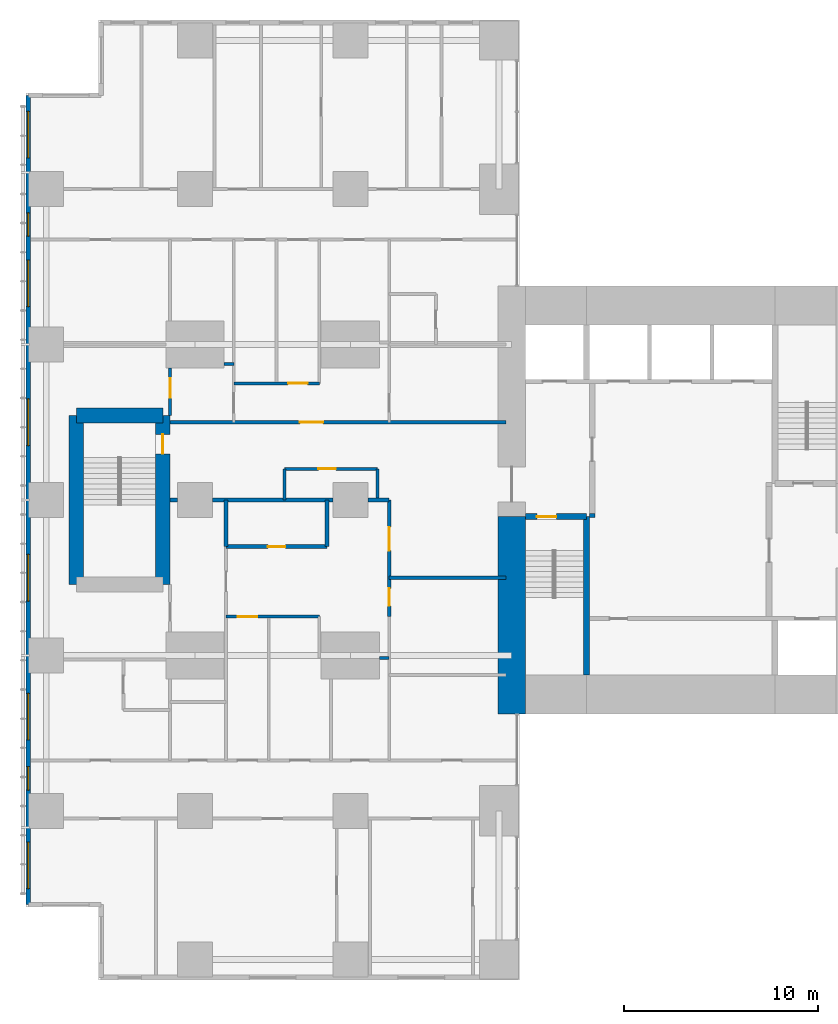
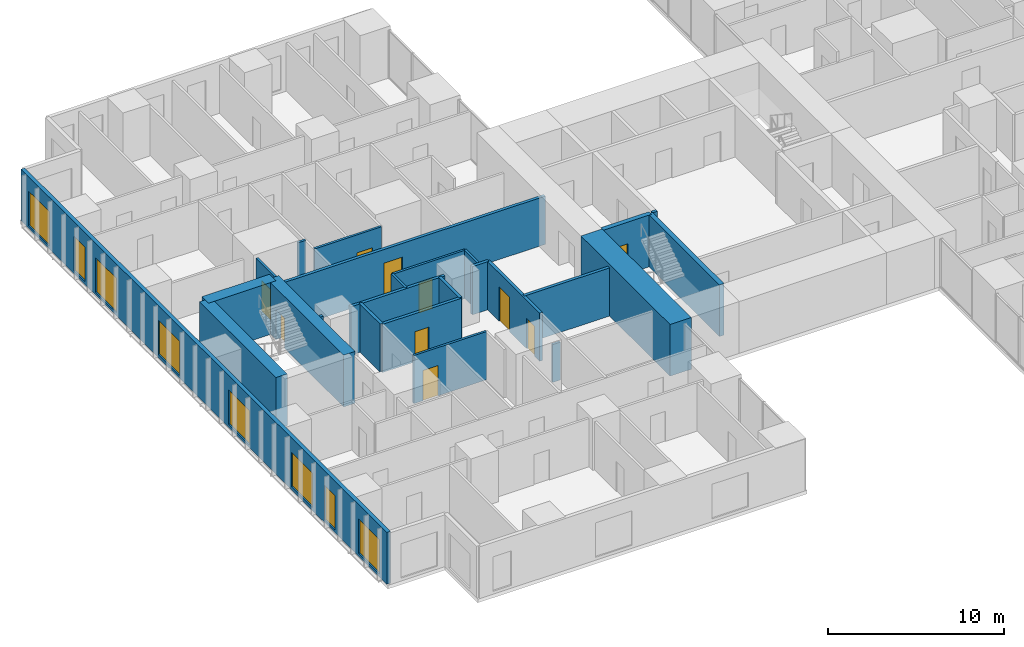
# One storey, part 13 of 20: 25 walls, 10 doors, 8 windows, 18 openings.
"""IFC4 building model written with IfcOpenShell, lengths in metres."""

from ifc_helpers import new_model, si_unit, direction, frame, frame_2d, origin, place, context, subcontext, project, spatial, rectangle, extrude, material, layer, layer_set, type_object, element, fill, save


model = new_model("IFC4")

# Units and contexts
model_context = context("Model", 3, precision=1e-05, world=origin(), true_north=direction((0.0, 1.0)))
body_context = subcontext(model_context, "Body", "Model", "MODEL_VIEW")
ifc_project = project(units=[si_unit("LENGTHUNIT", "METRE"), si_unit("AREAUNIT", "SQUARE_METRE"), si_unit("VOLUMEUNIT", "CUBIC_METRE"), si_unit("PLANEANGLEUNIT", "RADIAN"), si_unit("MASSUNIT", "GRAM", prefix="KILO")], contexts=[model_context])

# Site, building, storey
site_placement = place(None, origin())
site = spatial("IfcSite", under=ifc_project, at=site_placement, CompositionType="ELEMENT")
building_placement = place(site_placement, origin())
building = spatial("IfcBuilding", under=site, at=building_placement, Name="Cleftline Residences", CompositionType="ELEMENT")
storey_placement = place(building_placement, frame((0.0, 0.0, 189.39990234375)))
storey = spatial("IfcBuildingStorey", under=building, at=storey_placement, Name="L49", CompositionType="ELEMENT", Elevation=189.39990234375)

# Walls
ifc_material_1 = material(Name="Concrete B70", Category="concrete")
ifc_layer_1 = layer(ifc_material_1, 1.39990234375)
ifc_layer_set_1 = layer_set([ifc_layer_1], Name="CORE WALL 1400")
wall_type_1 = type_object("IfcWallType", Name="CORE WALL 1400", PredefinedType="SHEAR", material=ifc_layer_set_1)
wall_1_placement = place(storey_placement, frame((24.300048828125, 13.0, 0.0), z_axis=(0.0, 0.0, 1.0), x_axis=(0.0, 1.0, 0.0)))
element("IfcWall", 1, at=wall_1_placement, inside=storey, type_object=wall_type_1, Name="Core wall W0", PredefinedType="SHEAR", context=body_context, shape_type="SweptSolid", body=[
    extrude(rectangle(XDim=10.14990234375, YDim=1.39990234375, at=frame_2d((5.074951171875, 0.0))), origin(), (0.0, 0.0, 1.0), 3.60009765625),
])
ifc_material_2 = material(Name="Concrete B70", Category="concrete")
ifc_layer_2 = layer(ifc_material_2, 0.300048828125)
ifc_layer_set_2 = layer_set([ifc_layer_2], Name="CORE WALL 300")
wall_type_2 = type_object("IfcWallType", Name="CORE WALL 300", PredefinedType="SHEAR", material=ifc_layer_set_2)
wall_2_placement = place(storey_placement, frame((28.14990234375, 15.0, 0.0), z_axis=(0.0, 0.0, 1.0), x_axis=(0.0, 1.0, 0.0)))
element("IfcWall", 2, at=wall_2_placement, inside=storey, type_object=wall_type_2, Name="Core wall SA-E", PredefinedType="SHEAR", context=body_context, shape_type="SweptSolid", body=[
    extrude(rectangle(XDim=8.14990234375, YDim=0.300048828125, at=frame_2d((4.074951171875, 0.0))), origin(), (0.0, 0.0, 1.0), 3.60009765625),
])

# Wall, opening, door
wall_3_placement = place(storey_placement, frame((25.0, 23.14990234375, 0.0), z_axis=(0.0, 0.0, 1.0), x_axis=(1.0, 0.0, 0.0)))
wall_3 = element("IfcWall", 3, at=wall_3_placement, inside=storey, type_object=wall_type_2, Name="Core wall SA-N", PredefinedType="SHEAR", context=body_context, shape_type="SweptSolid", body=[
    extrude(rectangle(XDim=3.14990234375, YDim=0.300048828125, at=frame_2d((1.574951171875, 0.0))), origin(), (0.0, 0.0, 1.0), 3.60009765625),
])
opening_1_placement = place(wall_3_placement, frame((0.60009765625, 0.0, 0.0)))
opening_1 = element("IfcOpeningElement", 4, at=opening_1_placement, cuts=wall_3, Name="Opening D5", PredefinedType="OPENING", context=body_context, shape_type="SweptSolid", body=[
    extrude(rectangle(XDim=1.0, YDim=2.10009765625, at=frame_2d((0.5, 1.050048828125))), frame((0.0, 0.159912109375, 0.0), z_axis=(0.0, -1.0, 0.0), x_axis=(1.0, 0.0, 0.0)), (0.0, 0.0, 1.0), 0.320068359375),
])
ifc_material_3 = material(Name="Steel", Category="steel")
door_type_1 = type_object("IfcDoorType", Name="STAIR DOOR 1000X2100", OperationType="SINGLE_SWING_LEFT", PredefinedType="DOOR", material=ifc_material_3)
door_1_placement = place(opening_1_placement, origin())
door_1 = element("IfcDoor", 5, at=door_1_placement, inside=storey, type_object=door_type_1, Name="Stair A door", OperationType="SINGLE_SWING_RIGHT", OverallHeight=2.10009765625, OverallWidth=1.0, PredefinedType="DOOR", context=body_context, shape_type="SweptSolid", body=[
    extrude(rectangle(XDim=1.0, YDim=2.10009765625, at=frame_2d((0.5, 1.050048828125))), frame((0.0, 0.02490234375, 0.0), z_axis=(0.0, -1.0, 0.0), x_axis=(1.0, 0.0, 0.0)), (0.0, 0.0, 1.0), 0.050048828125),
])
fill(opening_1, door_1)

# Wall, openings, windows
ifc_material_4 = material(Name="Rendered reinforced concrete blockwork", Category="masonry")
ifc_layer_3 = layer(ifc_material_4, 0.25)
ifc_layer_set_3 = layer_set([ifc_layer_3], Name="EXTERNAL WALL 250")
wall_type_3 = type_object("IfcWallType", Name="EXTERNAL WALL 250", PredefinedType="SOLIDWALL", material=ifc_layer_set_3)
wall_4_placement = place(storey_placement, frame((-0.574951171875, 44.824951171875, 0.0), z_axis=(0.0, 0.0, 1.0), x_axis=(0.0, -1.0, 0.0)))
wall_4 = element("IfcWall", 6, at=wall_4_placement, inside=storey, type_object=wall_type_3, Name="External wall", PredefinedType="SOLIDWALL", context=body_context, shape_type="SweptSolid", body=[
    extrude(rectangle(XDim=41.64990234375, YDim=0.25, at=frame_2d((20.824951171875, 0.0))), origin(), (0.0, 0.0, 1.0), 3.60009765625),
])
opening_2_placement = place(wall_4_placement, frame((0.824951171875, 0.0, 0.199951171875)))
opening_2 = element("IfcOpeningElement", 7, at=opening_2_placement, cuts=wall_4, Name="Opening W9", PredefinedType="OPENING", context=body_context, shape_type="SweptSolid", body=[
    extrude(rectangle(XDim=2.39990234375, YDim=2.39990234375, at=frame_2d((1.199951171875, 1.199951171875))), frame((0.0, 0.135009765625, 0.0), z_axis=(0.0, -1.0, 0.0), x_axis=(1.0, 0.0, 0.0)), (0.0, 0.0, 1.0), 0.27001953125),
])
opening_3_placement = place(wall_4_placement, frame((6.050048828125, 0.0, 0.199951171875)))
opening_3 = element("IfcOpeningElement", 8, at=opening_3_placement, cuts=wall_4, Name="Opening W13", PredefinedType="OPENING", context=body_context, shape_type="SweptSolid", body=[
    extrude(rectangle(XDim=1.199951171875, YDim=2.39990234375, at=frame_2d((0.60009765625, 1.199951171875))), frame((0.0, 0.135009765625, 0.0), z_axis=(0.0, -1.0, 0.0), x_axis=(1.0, 0.0, 0.0)), (0.0, 0.0, 1.0), 0.27001953125),
])
opening_4_placement = place(wall_4_placement, frame((8.47509765625, 0.0, 0.199951171875)))
opening_4 = element("IfcOpeningElement", 9, at=opening_4_placement, cuts=wall_4, Name="Opening W9", PredefinedType="OPENING", context=body_context, shape_type="SweptSolid", body=[
    extrude(rectangle(XDim=2.39990234375, YDim=2.39990234375, at=frame_2d((1.199951171875, 1.199951171875))), frame((0.0, 0.135009765625, 0.0), z_axis=(0.0, -1.0, 0.0), x_axis=(1.0, 0.0, 0.0)), (0.0, 0.0, 1.0), 0.27001953125),
])
opening_5_placement = place(wall_4_placement, frame((15.625, 0.0, 0.199951171875)))
opening_5 = element("IfcOpeningElement", 10, at=opening_5_placement, cuts=wall_4, Name="Opening W9", PredefinedType="OPENING", context=body_context, shape_type="SweptSolid", body=[
    extrude(rectangle(XDim=2.39990234375, YDim=2.39990234375, at=frame_2d((1.199951171875, 1.199951171875))), frame((0.0, 0.135009765625, 0.0), z_axis=(0.0, -1.0, 0.0), x_axis=(1.0, 0.0, 0.0)), (0.0, 0.0, 1.0), 0.27001953125),
])
opening_6_placement = place(wall_4_placement, frame((23.625, 0.0, 0.199951171875)))
opening_6 = element("IfcOpeningElement", 11, at=opening_6_placement, cuts=wall_4, Name="Opening W9", PredefinedType="OPENING", context=body_context, shape_type="SweptSolid", body=[
    extrude(rectangle(XDim=2.39990234375, YDim=2.39990234375, at=frame_2d((1.199951171875, 1.199951171875))), frame((0.0, 0.135009765625, 0.0), z_axis=(0.0, -1.0, 0.0), x_axis=(1.0, 0.0, 0.0)), (0.0, 0.0, 1.0), 0.27001953125),
])
opening_7_placement = place(wall_4_placement, frame((30.77490234375, 0.0, 0.199951171875)))
opening_7 = element("IfcOpeningElement", 12, at=opening_7_placement, cuts=wall_4, Name="Opening W9", PredefinedType="OPENING", context=body_context, shape_type="SweptSolid", body=[
    extrude(rectangle(XDim=2.39990234375, YDim=2.39990234375, at=frame_2d((1.199951171875, 1.199951171875))), frame((0.0, 0.135009765625, 0.0), z_axis=(0.0, -1.0, 0.0), x_axis=(1.0, 0.0, 0.0)), (0.0, 0.0, 1.0), 0.27001953125),
])
opening_8_placement = place(wall_4_placement, frame((34.550048828125, 0.0, 0.199951171875)))
opening_8 = element("IfcOpeningElement", 13, at=opening_8_placement, cuts=wall_4, Name="Opening W13", PredefinedType="OPENING", context=body_context, shape_type="SweptSolid", body=[
    extrude(rectangle(XDim=1.199951171875, YDim=2.39990234375, at=frame_2d((0.60009765625, 1.199951171875))), frame((0.0, 0.135009765625, 0.0), z_axis=(0.0, -1.0, 0.0), x_axis=(1.0, 0.0, 0.0)), (0.0, 0.0, 1.0), 0.27001953125),
])
opening_9_placement = place(wall_4_placement, frame((38.425048828125, 0.0, 0.199951171875)))
opening_9 = element("IfcOpeningElement", 14, at=opening_9_placement, cuts=wall_4, Name="Opening W9", PredefinedType="OPENING", context=body_context, shape_type="SweptSolid", body=[
    extrude(rectangle(XDim=2.39990234375, YDim=2.39990234375, at=frame_2d((1.199951171875, 1.199951171875))), frame((0.0, 0.135009765625, 0.0), z_axis=(0.0, -1.0, 0.0), x_axis=(1.0, 0.0, 0.0)), (0.0, 0.0, 1.0), 0.27001953125),
])
ifc_material_5 = material(Name="Aluminium frame, clear double glazing", Category="aluminium")
window_type_1 = type_object("IfcWindowType", Name="WINDOW 1200X2400", PartitioningType="DOUBLE_PANEL_VERTICAL", PredefinedType="WINDOW", material=ifc_material_5)
window_1_placement = place(opening_3_placement, origin())
window_1 = element("IfcWindow", 15, at=window_1_placement, inside=storey, type_object=window_type_1, Name="Window", OverallHeight=2.39990234375, OverallWidth=1.199951171875, PartitioningType="SINGLE_PANEL", PredefinedType="WINDOW", context=body_context, shape_type="SweptSolid", body=[
    extrude(rectangle(XDim=1.199951171875, YDim=2.39990234375, at=frame_2d((0.60009765625, 1.199951171875))), frame((0.0, 0.030029296875, 0.0), z_axis=(0.0, -1.0, 0.0), x_axis=(1.0, 0.0, 0.0)), (0.0, 0.0, 1.0), 0.06005859375),
])
fill(opening_3, window_1)
window_2_placement = place(opening_8_placement, origin())
window_2 = element("IfcWindow", 16, at=window_2_placement, inside=storey, type_object=window_type_1, Name="Window", OverallHeight=2.39990234375, OverallWidth=1.199951171875, PartitioningType="SINGLE_PANEL", PredefinedType="WINDOW", context=body_context, shape_type="SweptSolid", body=[
    extrude(rectangle(XDim=1.199951171875, YDim=2.39990234375, at=frame_2d((0.60009765625, 1.199951171875))), frame((0.0, 0.030029296875, 0.0), z_axis=(0.0, -1.0, 0.0), x_axis=(1.0, 0.0, 0.0)), (0.0, 0.0, 1.0), 0.06005859375),
])
fill(opening_8, window_2)
ifc_material_6 = material(Name="Aluminium frame, clear double glazing", Category="aluminium")
window_type_2 = type_object("IfcWindowType", Name="WINDOW 2400X2400", PartitioningType="DOUBLE_PANEL_VERTICAL", PredefinedType="WINDOW", material=ifc_material_6)
window_3_placement = place(opening_2_placement, origin())
window_3 = element("IfcWindow", 17, at=window_3_placement, inside=storey, type_object=window_type_2, Name="Window", OverallHeight=2.39990234375, OverallWidth=2.39990234375, PartitioningType="SINGLE_PANEL", PredefinedType="WINDOW", context=body_context, shape_type="SweptSolid", body=[
    extrude(rectangle(XDim=2.39990234375, YDim=2.39990234375, at=frame_2d((1.199951171875, 1.199951171875))), frame((0.0, 0.030029296875, 0.0), z_axis=(0.0, -1.0, 0.0), x_axis=(1.0, 0.0, 0.0)), (0.0, 0.0, 1.0), 0.06005859375),
])
fill(opening_2, window_3)
window_4_placement = place(opening_4_placement, origin())
window_4 = element("IfcWindow", 18, at=window_4_placement, inside=storey, type_object=window_type_2, Name="Window", OverallHeight=2.39990234375, OverallWidth=2.39990234375, PartitioningType="SINGLE_PANEL", PredefinedType="WINDOW", context=body_context, shape_type="SweptSolid", body=[
    extrude(rectangle(XDim=2.39990234375, YDim=2.39990234375, at=frame_2d((1.199951171875, 1.199951171875))), frame((0.0, 0.030029296875, 0.0), z_axis=(0.0, -1.0, 0.0), x_axis=(1.0, 0.0, 0.0)), (0.0, 0.0, 1.0), 0.06005859375),
])
fill(opening_4, window_4)
window_5_placement = place(opening_5_placement, origin())
window_5 = element("IfcWindow", 19, at=window_5_placement, inside=storey, type_object=window_type_2, Name="Window", OverallHeight=2.39990234375, OverallWidth=2.39990234375, PartitioningType="SINGLE_PANEL", PredefinedType="WINDOW", context=body_context, shape_type="SweptSolid", body=[
    extrude(rectangle(XDim=2.39990234375, YDim=2.39990234375, at=frame_2d((1.199951171875, 1.199951171875))), frame((0.0, 0.030029296875, 0.0), z_axis=(0.0, -1.0, 0.0), x_axis=(1.0, 0.0, 0.0)), (0.0, 0.0, 1.0), 0.06005859375),
])
fill(opening_5, window_5)
window_6_placement = place(opening_6_placement, origin())
window_6 = element("IfcWindow", 20, at=window_6_placement, inside=storey, type_object=window_type_2, Name="Window", OverallHeight=2.39990234375, OverallWidth=2.39990234375, PartitioningType="SINGLE_PANEL", PredefinedType="WINDOW", context=body_context, shape_type="SweptSolid", body=[
    extrude(rectangle(XDim=2.39990234375, YDim=2.39990234375, at=frame_2d((1.199951171875, 1.199951171875))), frame((0.0, 0.030029296875, 0.0), z_axis=(0.0, -1.0, 0.0), x_axis=(1.0, 0.0, 0.0)), (0.0, 0.0, 1.0), 0.06005859375),
])
fill(opening_6, window_6)
window_7_placement = place(opening_7_placement, origin())
window_7 = element("IfcWindow", 21, at=window_7_placement, inside=storey, type_object=window_type_2, Name="Window", OverallHeight=2.39990234375, OverallWidth=2.39990234375, PartitioningType="SINGLE_PANEL", PredefinedType="WINDOW", context=body_context, shape_type="SweptSolid", body=[
    extrude(rectangle(XDim=2.39990234375, YDim=2.39990234375, at=frame_2d((1.199951171875, 1.199951171875))), frame((0.0, 0.030029296875, 0.0), z_axis=(0.0, -1.0, 0.0), x_axis=(1.0, 0.0, 0.0)), (0.0, 0.0, 1.0), 0.06005859375),
])
fill(opening_7, window_7)
window_8_placement = place(opening_9_placement, origin())
window_8 = element("IfcWindow", 22, at=window_8_placement, inside=storey, type_object=window_type_2, Name="Window", OverallHeight=2.39990234375, OverallWidth=2.39990234375, PartitioningType="SINGLE_PANEL", PredefinedType="WINDOW", context=body_context, shape_type="SweptSolid", body=[
    extrude(rectangle(XDim=2.39990234375, YDim=2.39990234375, at=frame_2d((1.199951171875, 1.199951171875))), frame((0.0, 0.030029296875, 0.0), z_axis=(0.0, -1.0, 0.0), x_axis=(1.0, 0.0, 0.0)), (0.0, 0.0, 1.0), 0.06005859375),
])
fill(opening_9, window_8)

# Wall
ifc_material_7 = material(Name="Concrete blockwork, fire rated", Category="masonry")
ifc_layer_4 = layer(ifc_material_7, 0.199951171875)
ifc_layer_set_4 = layer_set([ifc_layer_4], Name="FIRE WALL 200")
wall_type_4 = type_object("IfcWallType", Name="FIRE WALL 200", PredefinedType="PARTITIONING", material=ifc_layer_set_4)
wall_5_placement = place(storey_placement, frame((18.0, 20.0, 0.0), z_axis=(0.0, 0.0, 1.0), x_axis=(1.0, 0.0, 0.0)))
element("IfcWall", 23, at=wall_5_placement, inside=storey, type_object=wall_type_4, Name="Fire separating wall", PredefinedType="PARTITIONING", context=body_context, shape_type="SweptSolid", body=[
    extrude(rectangle(XDim=6.0, YDim=0.199951171875, at=frame_2d((3.0, 0.0))), origin(), (0.0, 0.0, 1.0), 3.35009765625),
])

# Wall, opening, door
wall_6_placement = place(storey_placement, frame((9.60009765625, 21.60009765625, 0.0), z_axis=(0.0, 0.0, 1.0), x_axis=(1.0, 0.0, 0.0)))
wall_6 = element("IfcWall", 24, at=wall_6_placement, inside=storey, type_object=wall_type_4, Name="Fire separating wall", PredefinedType="PARTITIONING", context=body_context, shape_type="SweptSolid", body=[
    extrude(rectangle(XDim=5.199951171875, YDim=0.199951171875, at=frame_2d((2.60009765625, 0.0))), origin(), (0.0, 0.0, 1.0), 3.35009765625),
])
opening_10_placement = place(wall_6_placement, frame((2.14990234375, 0.0, 0.0)))
opening_10 = element("IfcOpeningElement", 25, at=opening_10_placement, cuts=wall_6, Name="Opening D1F30", PredefinedType="OPENING", context=body_context, shape_type="SweptSolid", body=[
    extrude(rectangle(XDim=0.89990234375, YDim=2.10009765625, at=frame_2d((0.449951171875, 1.050048828125))), frame((0.0, 0.10986328125, 0.0), z_axis=(0.0, -1.0, 0.0), x_axis=(1.0, 0.0, 0.0)), (0.0, 0.0, 1.0), 0.219970703125),
])
ifc_material_8 = material(Name="Timber veneer on solid core", Category="wood")
door_type_2 = type_object("IfcDoorType", Name="DOOR 900X2100 EI 30", OperationType="SINGLE_SWING_LEFT", PredefinedType="DOOR", material=ifc_material_8)
door_2_placement = place(opening_10_placement, origin())
door_2 = element("IfcDoor", 26, at=door_2_placement, inside=storey, type_object=door_type_2, Name="Door to cloakroom wc", OperationType="SINGLE_SWING_LEFT", OverallHeight=2.10009765625, OverallWidth=0.89990234375, PredefinedType="DOOR", context=body_context, shape_type="SweptSolid", body=[
    extrude(rectangle(XDim=0.89990234375, YDim=2.10009765625, at=frame_2d((0.449951171875, 1.050048828125))), frame((0.0, 0.02490234375, 0.0), z_axis=(0.0, -1.0, 0.0), x_axis=(1.0, 0.0, 0.0)), (0.0, 0.0, 1.0), 0.050048828125),
])
fill(opening_10, door_2)

# Walls
wall_7_placement = place(storey_placement, frame((6.72509765625, 24.0, 0.0), z_axis=(0.0, 0.0, 1.0), x_axis=(1.0, 0.0, 0.0)))
element("IfcWall", 27, at=wall_7_placement, inside=storey, type_object=wall_type_4, Name="Fire separating wall", PredefinedType="PARTITIONING", context=body_context, shape_type="SweptSolid", body=[
    extrude(rectangle(XDim=0.375, YDim=0.199951171875, at=frame_2d((0.1875, 0.0))), origin(), (0.0, 0.0, 1.0), 3.35009765625),
])
wall_8_placement = place(storey_placement, frame((8.89990234375, 24.0, 0.0), z_axis=(0.0, 0.0, 1.0), x_axis=(1.0, 0.0, 0.0)))
element("IfcWall", 28, at=wall_8_placement, inside=storey, type_object=wall_type_4, Name="Fire separating wall", PredefinedType="PARTITIONING", context=body_context, shape_type="SweptSolid", body=[
    extrude(rectangle(XDim=6.2001953125, YDim=0.199951171875, at=frame_2d((3.10009765625, 0.0))), origin(), (0.0, 0.0, 1.0), 3.35009765625),
])
wall_9_placement = place(storey_placement, frame((16.89990234375, 24.0, 0.0), z_axis=(0.0, 0.0, 1.0), x_axis=(1.0, 0.0, 0.0)))
element("IfcWall", 29, at=wall_9_placement, inside=storey, type_object=wall_type_4, Name="Fire separating wall", PredefinedType="PARTITIONING", context=body_context, shape_type="SweptSolid", body=[
    extrude(rectangle(XDim=1.10009765625, YDim=0.199951171875, at=frame_2d((0.550048828125, 0.0))), origin(), (0.0, 0.0, 1.0), 3.35009765625),
])

# Wall, opening, door
wall_10_placement = place(storey_placement, frame((6.72509765625, 28.0, 0.0), z_axis=(0.0, 0.0, 1.0), x_axis=(1.0, 0.0, 0.0)))
wall_10 = element("IfcWall", 30, at=wall_10_placement, inside=storey, type_object=wall_type_4, Name="Fire separating wall", PredefinedType="PARTITIONING", context=body_context, shape_type="SweptSolid", body=[
    extrude(rectangle(XDim=17.27490234375, YDim=0.199951171875, at=frame_2d((8.637451171875, 0.0))), origin(), (0.0, 0.0, 1.0), 3.35009765625),
])
opening_11_placement = place(wall_10_placement, frame((6.675048828125, 0.0, 0.0)))
opening_11 = element("IfcOpeningElement", 31, at=opening_11_placement, cuts=wall_10, Name="Opening D4", PredefinedType="OPENING", context=body_context, shape_type="SweptSolid", body=[
    extrude(rectangle(XDim=1.199951171875, YDim=2.39990234375, at=frame_2d((0.60009765625, 1.199951171875))), frame((0.0, 0.10986328125, 0.0), z_axis=(0.0, -1.0, 0.0), x_axis=(1.0, 0.0, 0.0)), (0.0, 0.0, 1.0), 0.219970703125),
])
ifc_material_9 = material(Name="Timber veneer on solid core", Category="wood")
door_type_3 = type_object("IfcDoorType", Name="APARTMENT ENTRANCE DOOR 1200X2400", OperationType="SINGLE_SWING_RIGHT", PredefinedType="DOOR", material=ifc_material_9)
door_3_placement = place(opening_11_placement, origin())
door_3 = element("IfcDoor", 32, at=door_3_placement, inside=storey, type_object=door_type_3, Name="Door to residence entrance (gallery)", OperationType="SINGLE_SWING_RIGHT", OverallHeight=2.39990234375, OverallWidth=1.199951171875, PredefinedType="DOOR", context=body_context, shape_type="SweptSolid", body=[
    extrude(rectangle(XDim=1.199951171875, YDim=2.39990234375, at=frame_2d((0.60009765625, 1.199951171875))), frame((0.0, 0.02490234375, 0.0), z_axis=(0.0, -1.0, 0.0), x_axis=(1.0, 0.0, 0.0)), (0.0, 0.0, 1.0), 0.050048828125),
])
fill(opening_11, door_3)

# Walls
for number, where, z_axis, x_axis, name in (
    (33, (9.60009765625, 21.60009765625, 0.0), (0.0, 0.0, 1.0), (0.0, 1.0, 0.0), "Fire separating wall"),
    (34, (14.800048828125, 21.60009765625, 0.0), (0.0, 0.0, 1.0), (0.0, 1.0, 0.0), "Fire separating wall"),
):
    element("IfcWall", number, at=place(storey_placement, frame(where, z_axis=z_axis, x_axis=x_axis)), inside=storey, type_object=wall_type_4, Name=name, PredefinedType="PARTITIONING", context=body_context, shape_type="SweptSolid", body=[
        extrude(rectangle(XDim=2.39990234375, YDim=0.199951171875, at=frame_2d((1.199951171875, 0.0))), origin(), (0.0, 0.0, 1.0), 3.35009765625),
    ])

# Wall, openings, doors
wall_11_placement = place(storey_placement, frame((18.0, 18.0, 0.0), z_axis=(0.0, 0.0, 1.0), x_axis=(0.0, 1.0, 0.0)))
wall_11 = element("IfcWall", 35, at=wall_11_placement, inside=storey, type_object=wall_type_4, Name="Fire separating wall", PredefinedType="PARTITIONING", context=body_context, shape_type="SweptSolid", body=[
    extrude(rectangle(XDim=6.0, YDim=0.199951171875, at=frame_2d((3.0, 0.0))), origin(), (0.0, 0.0, 1.0), 3.35009765625),
])
opening_12_placement = place(wall_11_placement, frame((3.39990234375, 0.0, 0.0)))
opening_12 = element("IfcOpeningElement", 36, at=opening_12_placement, cuts=wall_11, Name="Opening D4", PredefinedType="OPENING", context=body_context, shape_type="SweptSolid", body=[
    extrude(rectangle(XDim=1.199951171875, YDim=2.39990234375, at=frame_2d((0.60009765625, 1.199951171875))), frame((0.0, 0.10986328125, 0.0), z_axis=(0.0, -1.0, 0.0), x_axis=(1.0, 0.0, 0.0)), (0.0, 0.0, 1.0), 0.219970703125),
])
opening_13_placement = place(wall_11_placement, frame((0.550048828125, 0.0, 0.0)))
opening_13 = element("IfcOpeningElement", 37, at=opening_13_placement, cuts=wall_11, Name="Opening D1F30", PredefinedType="OPENING", context=body_context, shape_type="SweptSolid", body=[
    extrude(rectangle(XDim=0.89990234375, YDim=2.10009765625, at=frame_2d((0.449951171875, 1.050048828125))), frame((0.0, 0.10986328125, 0.0), z_axis=(0.0, -1.0, 0.0), x_axis=(1.0, 0.0, 0.0)), (0.0, 0.0, 1.0), 0.219970703125),
])
door_4_placement = place(opening_12_placement, origin())
door_4 = element("IfcDoor", 38, at=door_4_placement, inside=storey, type_object=door_type_3, Name="Door to residence entrance foyer", OperationType="SINGLE_SWING_LEFT", OverallHeight=2.39990234375, OverallWidth=1.199951171875, PredefinedType="DOOR", context=body_context, shape_type="SweptSolid", body=[
    extrude(rectangle(XDim=1.199951171875, YDim=2.39990234375, at=frame_2d((0.60009765625, 1.199951171875))), frame((0.0, 0.02490234375, 0.0), z_axis=(0.0, -1.0, 0.0), x_axis=(1.0, 0.0, 0.0)), (0.0, 0.0, 1.0), 0.050048828125),
])
fill(opening_12, door_4)
door_5_placement = place(opening_13_placement, origin())
door_5 = element("IfcDoor", 39, at=door_5_placement, inside=storey, type_object=door_type_2, Name="Door to utility room", OperationType="SINGLE_SWING_RIGHT", OverallHeight=2.10009765625, OverallWidth=0.89990234375, PredefinedType="DOOR", context=body_context, shape_type="SweptSolid", body=[
    extrude(rectangle(XDim=0.89990234375, YDim=2.10009765625, at=frame_2d((0.449951171875, 1.050048828125))), frame((0.0, 0.02490234375, 0.0), z_axis=(0.0, -1.0, 0.0), x_axis=(1.0, 0.0, 0.0)), (0.0, 0.0, 1.0), 0.050048828125),
])
fill(opening_13, door_5)

# Walls
wall_12_placement = place(storey_placement, frame((28.300048828125, 23.199951171875, 0.0), z_axis=(0.0, 0.0, 1.0), x_axis=(1.0, 0.0, 0.0)))
element("IfcWall", 40, at=wall_12_placement, inside=storey, type_object=wall_type_4, Name="Fire separating wall", PredefinedType="PARTITIONING", context=body_context, shape_type="SweptSolid", body=[
    extrude(rectangle(XDim=0.300048828125, YDim=0.199951171875, at=frame_2d((0.14990234375, 0.0))), origin(), (0.0, 0.0, 1.0), 3.60009765625),
])
ifc_material_10 = material(Name="Gypsum board on steel studs", Category="steel")
ifc_layer_5 = layer(ifc_material_10, 0.14990234375)
ifc_layer_set_5 = layer_set([ifc_layer_5], Name="PARTITION 150")
wall_type_5 = type_object("IfcWallType", Name="PARTITION 150", PredefinedType="PARTITIONING", material=ifc_layer_set_5)
wall_13_placement = place(storey_placement, frame((17.5, 15.875, 0.0), z_axis=(0.0, 0.0, 1.0), x_axis=(1.0, 0.0, 0.0)))
element("IfcWall", 41, at=wall_13_placement, inside=storey, type_object=wall_type_5, Name="Partition", PredefinedType="PARTITIONING", context=body_context, shape_type="SweptSolid", body=[
    extrude(rectangle(XDim=0.5, YDim=0.14990234375, at=frame_2d((0.25, 0.0))), origin(), (0.0, 0.0, 1.0), 2.634033203125),
])

# Wall, opening, door
wall_14_placement = place(storey_placement, frame((9.60009765625, 18.0, 0.0), z_axis=(0.0, 0.0, 1.0), x_axis=(1.0, 0.0, 0.0)))
wall_14 = element("IfcWall", 42, at=wall_14_placement, inside=storey, type_object=wall_type_5, Name="Partition", PredefinedType="PARTITIONING", context=body_context, shape_type="SweptSolid", body=[
    extrude(rectangle(XDim=4.7998046875, YDim=0.14990234375, at=frame_2d((2.39990234375, 0.0))), origin(), (0.0, 0.0, 1.0), 3.35009765625),
])
opening_14_placement = place(wall_14_placement, frame((0.60009765625, 0.0, 0.0)))
opening_14 = element("IfcOpeningElement", 43, at=opening_14_placement, cuts=wall_14, Name="Opening D2", PredefinedType="OPENING", context=body_context, shape_type="SweptSolid", body=[
    extrude(rectangle(XDim=1.0, YDim=2.10009765625, at=frame_2d((0.5, 1.050048828125))), frame((0.0, 0.0849609375, 0.0), z_axis=(0.0, -1.0, 0.0), x_axis=(1.0, 0.0, 0.0)), (0.0, 0.0, 1.0), 0.169921875),
])
ifc_material_11 = material(Name="Timber veneer on solid core", Category="wood")
door_type_4 = type_object("IfcDoorType", Name="DOOR 1000X2100", OperationType="SINGLE_SWING_LEFT", PredefinedType="DOOR", material=ifc_material_11)
door_6_placement = place(opening_14_placement, origin())
door_6 = element("IfcDoor", 44, at=door_6_placement, inside=storey, type_object=door_type_4, Name="Door to residence passage", OperationType="SINGLE_SWING_RIGHT", OverallHeight=2.10009765625, OverallWidth=1.0, PredefinedType="DOOR", context=body_context, shape_type="SweptSolid", body=[
    extrude(rectangle(XDim=1.0, YDim=2.10009765625, at=frame_2d((0.5, 1.050048828125))), frame((0.0, 0.02490234375, 0.0), z_axis=(0.0, -1.0, 0.0), x_axis=(1.0, 0.0, 0.0)), (0.0, 0.0, 1.0), 0.050048828125),
])
fill(opening_14, door_6)

wall_15_placement = place(storey_placement, frame((12.60009765625, 25.60009765625, 0.0), z_axis=(0.0, 0.0, 1.0), x_axis=(1.0, 0.0, 0.0)))
wall_15 = element("IfcWall", 45, at=wall_15_placement, inside=storey, type_object=wall_type_5, Name="Partition", PredefinedType="PARTITIONING", context=body_context, shape_type="SweptSolid", body=[
    extrude(rectangle(XDim=4.7998046875, YDim=0.14990234375, at=frame_2d((2.39990234375, 0.0))), origin(), (0.0, 0.0, 1.0), 3.35009765625),
])
opening_15_placement = place(wall_15_placement, frame((1.75, 0.0, 0.0)))
opening_15 = element("IfcOpeningElement", 46, at=opening_15_placement, cuts=wall_15, Name="Opening D1", PredefinedType="OPENING", context=body_context, shape_type="SweptSolid", body=[
    extrude(rectangle(XDim=0.89990234375, YDim=2.10009765625, at=frame_2d((0.449951171875, 1.050048828125))), frame((0.0, 0.0849609375, 0.0), z_axis=(0.0, -1.0, 0.0), x_axis=(1.0, 0.0, 0.0)), (0.0, 0.0, 1.0), 0.169921875),
])
ifc_material_12 = material(Name="Timber veneer on solid core", Category="wood")
door_type_5 = type_object("IfcDoorType", Name="DOOR 900X2100", OperationType="SINGLE_SWING_LEFT", PredefinedType="DOOR", material=ifc_material_12)
door_7_placement = place(opening_15_placement, origin())
door_7 = element("IfcDoor", 47, at=door_7_placement, inside=storey, type_object=door_type_5, Name="Door to residents' storage room", OperationType="SINGLE_SWING_RIGHT", OverallHeight=2.10009765625, OverallWidth=0.89990234375, PredefinedType="DOOR", context=body_context, shape_type="SweptSolid", body=[
    extrude(rectangle(XDim=0.89990234375, YDim=2.10009765625, at=frame_2d((0.449951171875, 1.050048828125))), frame((0.0, 0.02490234375, 0.0), z_axis=(0.0, -1.0, 0.0), x_axis=(1.0, 0.0, 0.0)), (0.0, 0.0, 1.0), 0.050048828125),
])
fill(opening_15, door_7)

wall_16_placement = place(storey_placement, frame((10.0, 30.0, 0.0), z_axis=(0.0, 0.0, 1.0), x_axis=(1.0, 0.0, 0.0)))
wall_16 = element("IfcWall", 48, at=wall_16_placement, inside=storey, type_object=wall_type_5, Name="Partition", PredefinedType="PARTITIONING", context=body_context, shape_type="SweptSolid", body=[
    extrude(rectangle(XDim=4.39990234375, YDim=0.14990234375, at=frame_2d((2.199951171875, 0.0))), origin(), (0.0, 0.0, 1.0), 3.35009765625),
])
opening_16_placement = place(wall_16_placement, frame((2.800048828125, 0.0, 0.0)))
opening_16 = element("IfcOpeningElement", 49, at=opening_16_placement, cuts=wall_16, Name="Opening D2", PredefinedType="OPENING", context=body_context, shape_type="SweptSolid", body=[
    extrude(rectangle(XDim=1.0, YDim=2.10009765625, at=frame_2d((0.5, 1.050048828125))), frame((0.0, 0.0849609375, 0.0), z_axis=(0.0, -1.0, 0.0), x_axis=(1.0, 0.0, 0.0)), (0.0, 0.0, 1.0), 0.169921875),
])
door_8_placement = place(opening_16_placement, origin())
door_8 = element("IfcDoor", 50, at=door_8_placement, inside=storey, type_object=door_type_4, Name="Door to residence passage", OperationType="SINGLE_SWING_LEFT", OverallHeight=2.10009765625, OverallWidth=1.0, PredefinedType="DOOR", context=body_context, shape_type="SweptSolid", body=[
    extrude(rectangle(XDim=1.0, YDim=2.10009765625, at=frame_2d((0.5, 1.050048828125))), frame((0.0, 0.02490234375, 0.0), z_axis=(0.0, -1.0, 0.0), x_axis=(1.0, 0.0, 0.0)), (0.0, 0.0, 1.0), 0.050048828125),
])
fill(opening_16, door_8)

# Wall
wall_17_placement = place(storey_placement, frame((9.5, 31.0, 0.0), z_axis=(0.0, 0.0, 1.0), x_axis=(1.0, 0.0, 0.0)))
element("IfcWall", 51, at=wall_17_placement, inside=storey, type_object=wall_type_5, Name="Partition", PredefinedType="PARTITIONING", context=body_context, shape_type="SweptSolid", body=[
    extrude(rectangle(XDim=0.5, YDim=0.14990234375, at=frame_2d((0.25, 0.0))), origin(), (0.0, 0.0, 1.0), 3.35009765625),
])

# Wall, opening, door
wall_18_placement = place(storey_placement, frame((6.72509765625, 28.35009765625, 0.0), z_axis=(0.0, 0.0, 1.0), x_axis=(0.0, 1.0, 0.0)))
wall_18 = element("IfcWall", 52, at=wall_18_placement, inside=storey, type_object=wall_type_5, Name="Partition", PredefinedType="PARTITIONING", context=body_context, shape_type="SweptSolid", body=[
    extrude(rectangle(XDim=2.449951171875, YDim=0.14990234375, at=frame_2d((1.22509765625, 0.0))), origin(), (0.0, 0.0, 1.0), 3.35009765625),
])
opening_17_placement = place(wall_18_placement, frame((0.91259765625, 0.0, 0.0)))
opening_17 = element("IfcOpeningElement", 53, at=opening_17_placement, cuts=wall_18, Name="Opening D2", PredefinedType="OPENING", context=body_context, shape_type="SweptSolid", body=[
    extrude(rectangle(XDim=1.0, YDim=2.10009765625, at=frame_2d((0.5, 1.050048828125))), frame((0.0, 0.0849609375, 0.0), z_axis=(0.0, -1.0, 0.0), x_axis=(1.0, 0.0, 0.0)), (0.0, 0.0, 1.0), 0.169921875),
])
door_9_placement = place(opening_17_placement, origin())
door_9 = element("IfcDoor", 54, at=door_9_placement, inside=storey, type_object=door_type_4, Name="Door to staff bedroom", OperationType="SINGLE_SWING_LEFT", OverallHeight=2.10009765625, OverallWidth=1.0, PredefinedType="DOOR", context=body_context, shape_type="SweptSolid", body=[
    extrude(rectangle(XDim=1.0, YDim=2.10009765625, at=frame_2d((0.5, 1.050048828125))), frame((0.0, 0.02490234375, 0.0), z_axis=(0.0, -1.0, 0.0), x_axis=(1.0, 0.0, 0.0)), (0.0, 0.0, 1.0), 0.050048828125),
])
fill(opening_17, door_9)

# Walls
for number, where, z_axis, x_axis, name in (
    (55, (12.60009765625, 24.0, 0.0), (0.0, 0.0, 1.0), (0.0, 1.0, 0.0), "Partition"),
    (56, (17.39990234375, 24.0, 0.0), (0.0, 0.0, 1.0), (0.0, 1.0, 0.0), "Partition"),
):
    element("IfcWall", number, at=place(storey_placement, frame(where, z_axis=z_axis, x_axis=x_axis)), inside=storey, type_object=wall_type_5, Name=name, PredefinedType="PARTITIONING", context=body_context, shape_type="SweptSolid", body=[
        extrude(rectangle(XDim=1.60009765625, YDim=0.14990234375, at=frame_2d((0.800048828125, 0.0))), origin(), (0.0, 0.0, 1.0), 3.35009765625),
    ])

# Wall, opening, door
ifc_material_13 = material(Name="Concrete B70", Category="concrete")
ifc_layer_6 = layer(ifc_material_13, 0.75)
ifc_layer_set_6 = layer_set([ifc_layer_6], Name="SHEAR WALL 750")
wall_type_6 = type_object("IfcWallType", Name="SHEAR WALL 750", PredefinedType="SHEAR", material=ifc_layer_set_6)
wall_19_placement = place(storey_placement, frame((6.35009765625, 19.64990234375, 0.0), z_axis=(0.0, 0.0, 1.0), x_axis=(0.0, 1.0, 0.0)))
wall_19 = element("IfcWall", 57, at=wall_19_placement, inside=storey, type_object=wall_type_6, Name="Wing shear wall", PredefinedType="SHEAR", context=body_context, shape_type="SweptSolid", body=[
    extrude(rectangle(XDim=8.7001953125, YDim=0.75, at=frame_2d((4.35009765625, 0.0))), origin(), (0.0, 0.0, 1.0), 3.60009765625),
])
opening_18_placement = place(wall_19_placement, frame((6.72509765625, 0.0, 0.0)))
opening_18 = element("IfcOpeningElement", 58, at=opening_18_placement, cuts=wall_19, Name="Opening D5", PredefinedType="OPENING", context=body_context, shape_type="SweptSolid", body=[
    extrude(rectangle(XDim=1.0, YDim=2.10009765625, at=frame_2d((0.5, 1.050048828125))), frame((0.0, 0.385009765625, 0.0), z_axis=(0.0, -1.0, 0.0), x_axis=(1.0, 0.0, 0.0)), (0.0, 0.0, 1.0), 0.77001953125),
])
door_10_placement = place(opening_18_placement, origin())
door_10 = element("IfcDoor", 59, at=door_10_placement, inside=storey, type_object=door_type_1, Name="Stair W door", OperationType="SINGLE_SWING_LEFT", OverallHeight=2.10009765625, OverallWidth=1.0, PredefinedType="DOOR", context=body_context, shape_type="SweptSolid", body=[
    extrude(rectangle(XDim=1.0, YDim=2.10009765625, at=frame_2d((0.5, 1.050048828125))), frame((0.0, 0.02490234375, 0.0), z_axis=(0.0, -1.0, 0.0), x_axis=(1.0, 0.0, 0.0)), (0.0, 0.0, 1.0), 0.050048828125),
])
fill(opening_18, door_10)

# Walls
wall_20_placement = place(storey_placement, frame((6.35009765625, 28.35009765625, 0.0), z_axis=(0.0, 0.0, 1.0), x_axis=(-1.0, 0.0, 0.0)))
element("IfcWall", 60, at=wall_20_placement, inside=storey, type_object=wall_type_6, Name="Wing shear wall", PredefinedType="SHEAR", context=body_context, shape_type="SweptSolid", body=[
    extrude(rectangle(XDim=4.4501953125, YDim=0.75, at=frame_2d((2.22509765625, 0.0))), origin(), (0.0, 0.0, 1.0), 3.60009765625),
])
wall_21_placement = place(storey_placement, frame((1.89990234375, 28.35009765625, 0.0), z_axis=(0.0, 0.0, 1.0), x_axis=(0.0, -1.0, 0.0)))
element("IfcWall", 61, at=wall_21_placement, inside=storey, type_object=wall_type_6, Name="Wing shear wall", PredefinedType="SHEAR", context=body_context, shape_type="SweptSolid", body=[
    extrude(rectangle(XDim=8.7001953125, YDim=0.75, at=frame_2d((4.35009765625, 0.0))), origin(), (0.0, 0.0, 1.0), 3.60009765625),
])

save(model, "model.ifc")
